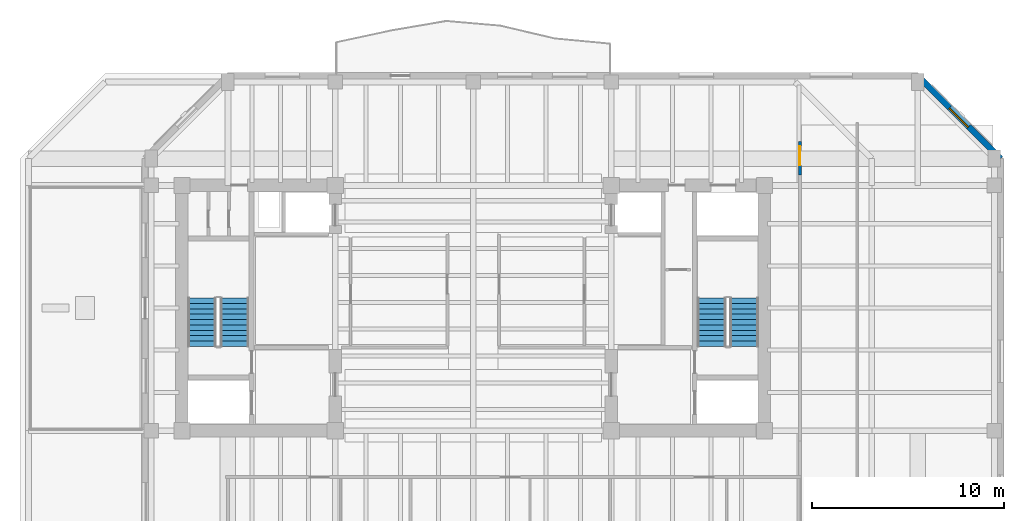
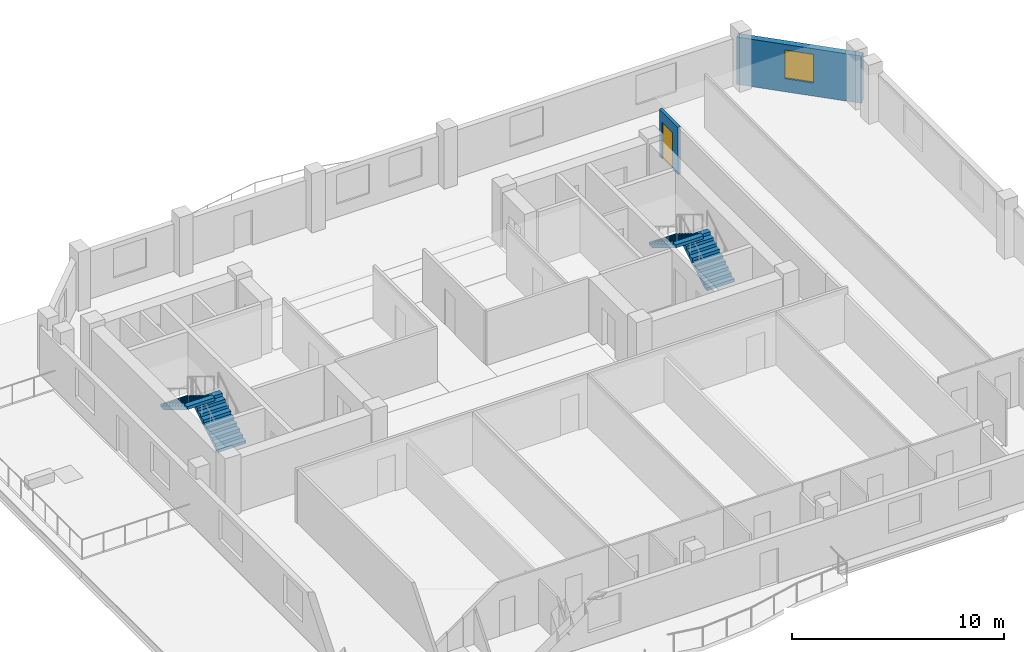
# One storey, part 6 of 11: 4 stair flights, 2 walls, 1 door, 1 window, 2 openings, 2 elements without a shape of their own.
"""IFC4 building model written with IfcOpenShell, lengths in metres."""

from ifc_helpers import new_model, si_unit, direction, frame, frame_2d, origin, place, context, subcontext, project, spatial, polyline, rectangle, outline, extrude, material, layer, layer_set, type_object, element, fill, aggregate, save


model = new_model("IFC4")

# Units and contexts
model_context = context("Model", 3, precision=1e-05, world=origin(), true_north=direction((0.0, 1.0)))
body_context = subcontext(model_context, "Body", "Model", "MODEL_VIEW")
ifc_project = project(units=[si_unit("LENGTHUNIT", "METRE"), si_unit("AREAUNIT", "SQUARE_METRE"), si_unit("VOLUMEUNIT", "CUBIC_METRE"), si_unit("PLANEANGLEUNIT", "RADIAN"), si_unit("MASSUNIT", "GRAM", prefix="KILO")], contexts=[model_context])

# Site, building, storey
site_placement = place(None, origin())
site = spatial("IfcSite", under=ifc_project, at=site_placement, CompositionType="ELEMENT")
building_placement = place(site_placement, origin())
building = spatial("IfcBuilding", under=site, at=building_placement, Name="Kranthara Brick Stack", CompositionType="ELEMENT")
storey_placement = place(building_placement, frame((0.0, 0.0, 227.89990234375)))
storey = spatial("IfcBuildingStorey", under=building, at=storey_placement, Name="L59", CompositionType="ELEMENT", Elevation=227.89990234375)

# Wall, opening, window
ifc_material_1 = material(Name="Warm buff clay brick masonry M15", Category="masonry")
ifc_layer_1 = layer(ifc_material_1, 0.320068359375)
ifc_layer_set_1 = layer_set([ifc_layer_1], Name="Warm buff clay brick masonry M15")
wall_type_1 = type_object("IfcWallType", Name="WL-BRK-UPPR-320", PredefinedType="STANDARD", material=ifc_layer_set_1)
wall_1_placement = place(storey_placement, frame((51.199951171875, 39.320068359375, 0.0), z_axis=(0.0, 0.0, 1.0), x_axis=(0.707106781187, -0.707106781187, 0.0)))
wall_1 = element("IfcWall", 1, at=wall_1_placement, inside=storey, type_object=wall_type_1, Name="L59 Exterior Brick Facade Wall NE 1", PredefinedType="STANDARD", context=body_context, shape_type="SweptSolid", body=[
    extrude(rectangle(XDim=6.109619140625, YDim=0.320068359375, at=frame_2d((3.0546875, 0.0))), origin(), (0.0, 0.0, 1.0), 2.72509765625),
])
opening_1_placement = place(wall_1_placement, frame((2.35498046875, 0.0, 0.75)))
opening_1 = element("IfcOpeningElement", 2, at=opening_1_placement, cuts=wall_1, Name="Opening WN10", PredefinedType="OPENING", context=body_context, shape_type="SweptSolid", body=[
    extrude(rectangle(XDim=1.39990234375, YDim=1.64990234375, at=frame_2d((0.699951171875, 0.824951171875))), frame((0.0, 0.169921875, 0.0), z_axis=(0.0, -1.0, 0.0), x_axis=(1.0, 0.0, 0.0)), (0.0, 0.0, 1.0), 0.340087890625),
])
ifc_material_2 = material(Name="Double-glazed low-E solar control glass", Category="glass")
window_type = type_object("IfcWindowType", Name="WN-CHM-1400x1750", PartitioningType="SINGLE_PANEL", PredefinedType="WINDOW", material=ifc_material_2)
window_placement = place(opening_1_placement, origin())
window = element("IfcWindow", 3, at=window_placement, inside=storey, type_object=window_type, Name="L59 NE Chamfer Corner Window", OverallHeight=1.64990234375, OverallWidth=1.39990234375, PartitioningType="SINGLE_PANEL", PredefinedType="WINDOW", context=body_context, shape_type="SweptSolid", body=[
    extrude(rectangle(XDim=1.39990234375, YDim=1.64990234375, at=frame_2d((0.699951171875, 0.824951171875))), frame((0.0, -0.010009765625, 0.0), z_axis=(0.0, -1.0, 0.0), x_axis=(1.0, 0.0, 0.0)), (0.0, 0.0, 1.0), 0.06005859375),
])
fill(opening_1, window)

# Wall, opening, door
ifc_material_3 = material(Name="Fire-rated gypsum board partition", Category="other")
ifc_layer_2 = layer(ifc_material_3, 0.14990234375)
ifc_layer_set_2 = layer_set([ifc_layer_2], Name="Fire-rated gypsum board partition")
wall_type_2 = type_object("IfcWallType", Name="WL-PART-150", PredefinedType="PARTITIONING", material=ifc_layer_set_2)
wall_2_placement = place(storey_placement, frame((45.050048828125, 34.14990234375, 0.0), z_axis=(0.0, 0.0, 1.0), x_axis=(0.0, 1.0, 0.0)))
wall_2 = element("IfcWall", 4, at=wall_2_placement, inside=storey, type_object=wall_type_2, Name="L59 Interior Partition 030", PredefinedType="PARTITIONING", context=body_context, shape_type="SweptSolid", body=[
    extrude(rectangle(XDim=1.75, YDim=0.14990234375, at=frame_2d((0.875, 0.0))), origin(), (0.0, 0.0, 1.0), 2.72509765625),
])
opening_2_placement = place(wall_2_placement, frame((0.5, 0.0, 0.0)))
opening_2 = element("IfcOpeningElement", 5, at=opening_2_placement, cuts=wall_2, Name="Opening D08", PredefinedType="OPENING", context=body_context, shape_type="SweptSolid", body=[
    extrude(rectangle(XDim=1.0, YDim=2.10009765625, at=frame_2d((0.5, 1.050048828125))), frame((0.0, 0.0849609375, 0.0), z_axis=(0.0, -1.0, 0.0), x_axis=(1.0, 0.0, 0.0)), (0.0, 0.0, 1.0), 0.169921875),
])
ifc_material_4 = material(Name="Solid-core hardwood timber leaf in steel frame", Category="steel")
door_type = type_object("IfcDoorType", Name="DR-FD-1000", OperationType="NOTDEFINED", PredefinedType="DOOR", material=ifc_material_4)
door_placement = place(opening_2_placement, origin())
door = element("IfcDoor", 6, at=door_placement, inside=storey, type_object=door_type, Name="L59 Unit L59D Entrance 23", OperationType="SINGLE_SWING_LEFT", OverallHeight=2.10009765625, OverallWidth=1.0, PredefinedType="DOOR", context=body_context, shape_type="SweptSolid", body=[
    extrude(rectangle(XDim=1.0, YDim=2.10009765625, at=frame_2d((0.5, 1.050048828125))), frame((0.0, 0.02490234375, 0.0), z_axis=(0.0, -1.0, 0.0), x_axis=(1.0, 0.0, 0.0)), (0.0, 0.0, 1.0), 0.050048828125),
])
fill(opening_2, door)

# Stair, stair flights
ifc_material_5 = material(Name="Concrete C45/55", Category="concrete")
stair_type = type_object("IfcStairType", Name="ST-CORE-20R", PredefinedType="HALF_TURN_STAIR", material=ifc_material_5)
stair_1_placement = place(storey_placement, origin())
stair_1 = element("IfcStair", 7, at=stair_1_placement, inside=storey, type_object=stair_type, Name="L59 West Core Protected Exit Stair ST01", PredefinedType="HALF_TURN_STAIR")
ifc_material_6 = material(Name="Concrete C45/55", Category="concrete")
stair_flight_type = type_object("IfcStairFlightType", Name="SFL-RC-20R", PredefinedType="STRAIGHT", material=ifc_material_6)
stair_flight_1_placement = place(storey_placement, frame((15.550048828125, 25.199951171875, 0.0), z_axis=(0.0, 0.0, 1.0), x_axis=(0.0, 1.0, 0.0)))
stair_flight_1 = element("IfcStairFlight", 8, at=stair_flight_1_placement, type_object=stair_flight_type, Name="ST01 flight 1", NumberOfRisers=10, NumberOfTreads=9, PredefinedType="STRAIGHT", RiserHeight=0.17, TreadLength=0.28, context=body_context, shape_type="SweptSolid", body=[
    extrude(outline(polyline([(0.0, 0.0), (0.0, 0.169921875), (0.280029296875, 0.169921875), (0.280029296875, 0.340087890625), (0.56005859375, 0.340087890625), (0.56005859375, 0.510009765625), (0.840087890625, 0.510009765625), (0.840087890625, 0.679931640625), (1.1201171875, 0.679931640625), (1.1201171875, 0.85009765625), (1.39990234375, 0.85009765625), (1.39990234375, 1.02001953125), (1.679931640625, 1.02001953125), (1.679931640625, 1.18994140625), (1.9599609375, 1.18994140625), (1.9599609375, 1.360107421875), (2.239990234375, 1.360107421875), (2.239990234375, 1.530029296875), (2.52001953125, 1.530029296875), (2.52001953125, 1.699951171875), (2.52001953125, 1.354736328125), (0.288818359375, 0.0), (0.0, 0.0)])), frame((0.0, 0.75, 0.0), z_axis=(0.0, -1.0, 0.0), x_axis=(1.0, 0.0, 0.0)), (0.0, 0.0, 1.0), 1.5),
])
stair_flight_2_placement = place(storey_placement, frame((13.85009765625, 27.719970703125, 1.7001953125), z_axis=(0.0, 0.0, 1.0), x_axis=(0.0, -1.0, 0.0)))
stair_flight_2 = element("IfcStairFlight", 9, at=stair_flight_2_placement, type_object=stair_flight_type, Name="ST01 flight 2", NumberOfRisers=10, NumberOfTreads=9, PredefinedType="STRAIGHT", RiserHeight=0.17, TreadLength=0.28, context=body_context, shape_type="SweptSolid", body=[
    extrude(outline(polyline([(0.0, 0.0), (0.0, 0.169921875), (0.280029296875, 0.169921875), (0.280029296875, 0.340087890625), (0.56005859375, 0.340087890625), (0.56005859375, 0.510009765625), (0.840087890625, 0.510009765625), (0.840087890625, 0.679931640625), (1.1201171875, 0.679931640625), (1.1201171875, 0.85009765625), (1.39990234375, 0.85009765625), (1.39990234375, 1.02001953125), (1.679931640625, 1.02001953125), (1.679931640625, 1.18994140625), (1.9599609375, 1.18994140625), (1.9599609375, 1.360107421875), (2.239990234375, 1.360107421875), (2.239990234375, 1.530029296875), (2.52001953125, 1.530029296875), (2.52001953125, 1.699951171875), (2.52001953125, 1.354736328125), (0.288818359375, 0.0), (0.0, 0.0)])), frame((0.0, 0.75, 0.0), z_axis=(0.0, -1.0, 0.0), x_axis=(1.0, 0.0, 0.0)), (0.0, 0.0, 1.0), 1.5),
])
aggregate(stair_1, [stair_flight_1, stair_flight_2])

stair_2_placement = place(storey_placement, origin())
stair_2 = element("IfcStair", 10, at=stair_2_placement, inside=storey, type_object=stair_type, Name="L59 East Core Protected Exit Stair ST02", PredefinedType="HALF_TURN_STAIR")
stair_flight_3_placement = place(storey_placement, frame((42.14990234375, 25.199951171875, 0.0), z_axis=(0.0, 0.0, 1.0), x_axis=(0.0, 1.0, 0.0)))
stair_flight_3 = element("IfcStairFlight", 11, at=stair_flight_3_placement, type_object=stair_flight_type, Name="ST02 flight 1", NumberOfRisers=10, NumberOfTreads=9, PredefinedType="STRAIGHT", RiserHeight=0.17, TreadLength=0.28, context=body_context, shape_type="SweptSolid", body=[
    extrude(outline(polyline([(0.0, 0.0), (0.0, 0.169921875), (0.280029296875, 0.169921875), (0.280029296875, 0.340087890625), (0.56005859375, 0.340087890625), (0.56005859375, 0.510009765625), (0.840087890625, 0.510009765625), (0.840087890625, 0.679931640625), (1.1201171875, 0.679931640625), (1.1201171875, 0.85009765625), (1.39990234375, 0.85009765625), (1.39990234375, 1.02001953125), (1.679931640625, 1.02001953125), (1.679931640625, 1.18994140625), (1.9599609375, 1.18994140625), (1.9599609375, 1.360107421875), (2.239990234375, 1.360107421875), (2.239990234375, 1.530029296875), (2.52001953125, 1.530029296875), (2.52001953125, 1.699951171875), (2.52001953125, 1.354736328125), (0.288818359375, 0.0), (0.0, 0.0)])), frame((0.0, 0.75, 0.0), z_axis=(0.0, -1.0, 0.0), x_axis=(1.0, 0.0, 0.0)), (0.0, 0.0, 1.0), 1.5),
])
stair_flight_4_placement = place(storey_placement, frame((40.449951171875, 27.719970703125, 1.7001953125), z_axis=(0.0, 0.0, 1.0), x_axis=(0.0, -1.0, 0.0)))
stair_flight_4 = element("IfcStairFlight", 12, at=stair_flight_4_placement, type_object=stair_flight_type, Name="ST02 flight 2", NumberOfRisers=10, NumberOfTreads=9, PredefinedType="STRAIGHT", RiserHeight=0.17, TreadLength=0.28, context=body_context, shape_type="SweptSolid", body=[
    extrude(outline(polyline([(0.0, 0.0), (0.0, 0.169921875), (0.280029296875, 0.169921875), (0.280029296875, 0.340087890625), (0.56005859375, 0.340087890625), (0.56005859375, 0.510009765625), (0.840087890625, 0.510009765625), (0.840087890625, 0.679931640625), (1.1201171875, 0.679931640625), (1.1201171875, 0.85009765625), (1.39990234375, 0.85009765625), (1.39990234375, 1.02001953125), (1.679931640625, 1.02001953125), (1.679931640625, 1.18994140625), (1.9599609375, 1.18994140625), (1.9599609375, 1.360107421875), (2.239990234375, 1.360107421875), (2.239990234375, 1.530029296875), (2.52001953125, 1.530029296875), (2.52001953125, 1.699951171875), (2.52001953125, 1.354736328125), (0.288818359375, 0.0), (0.0, 0.0)])), frame((0.0, 0.75, 0.0), z_axis=(0.0, -1.0, 0.0), x_axis=(1.0, 0.0, 0.0)), (0.0, 0.0, 1.0), 1.5),
])
aggregate(stair_2, [stair_flight_3, stair_flight_4])

save(model, "model.ifc")
